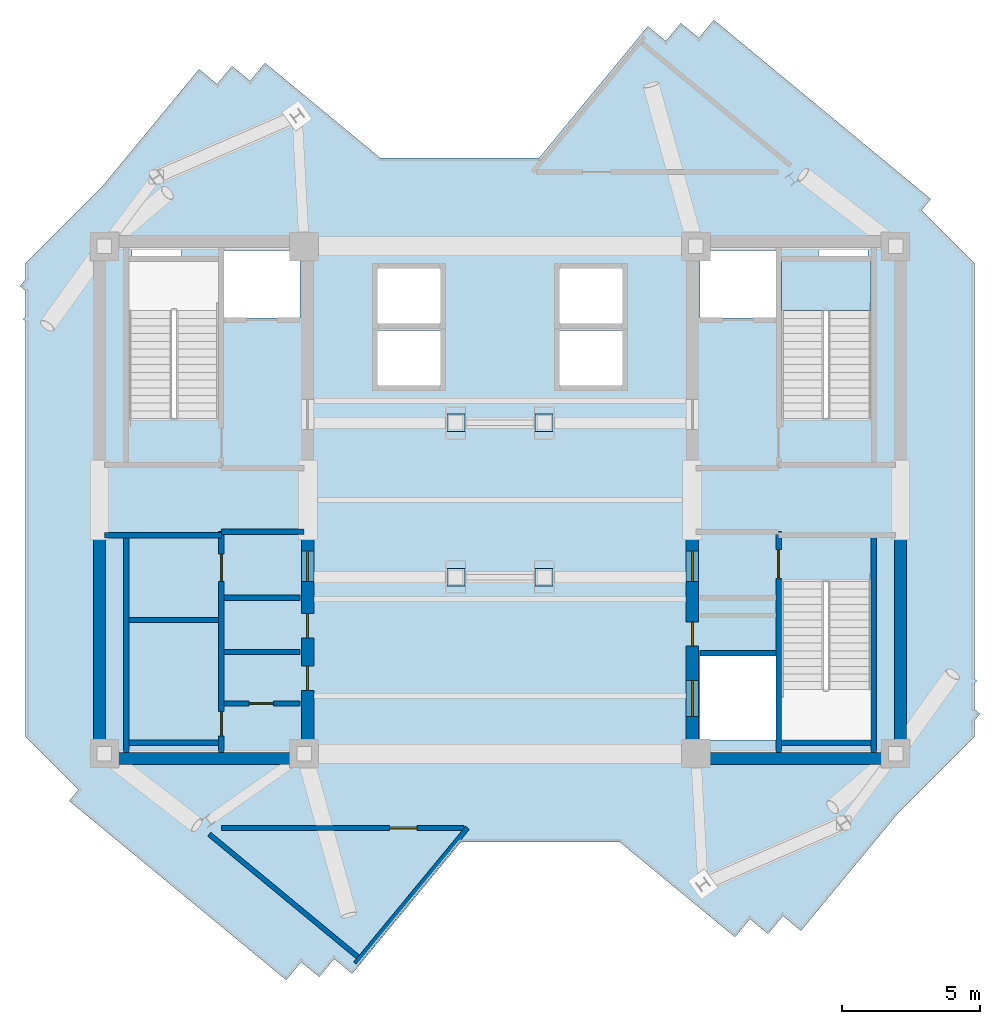
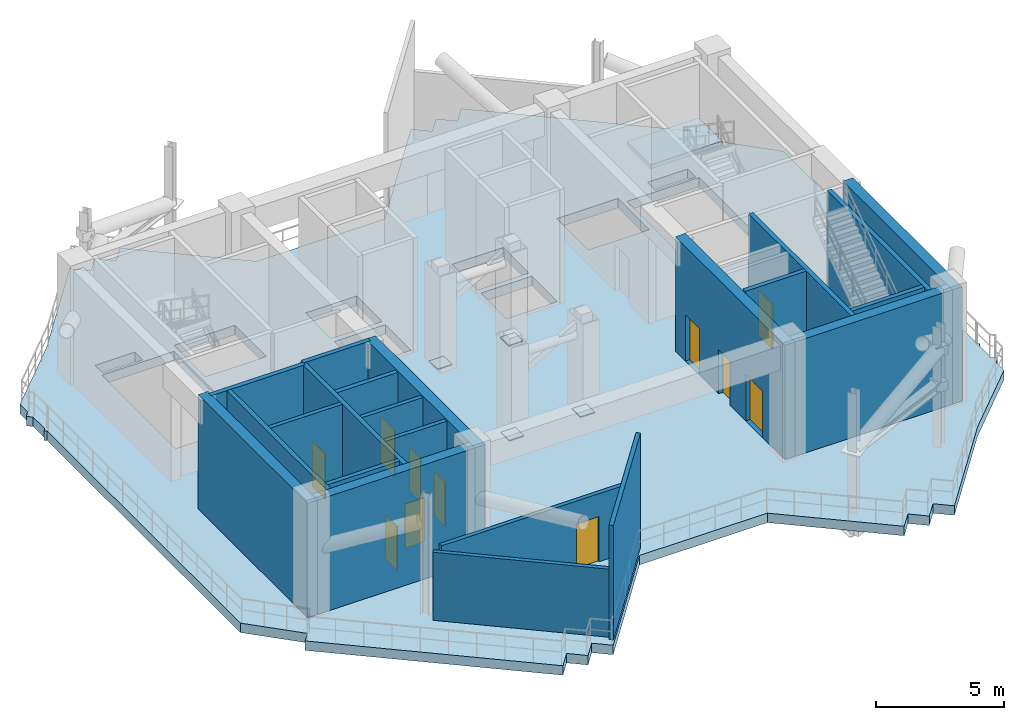
# One storey, part 2 of 7: 22 walls, 11 doors, 4 plates, 2 slabs, 11 openings, 1 element without a shape of its own.
"""IFC4 building model written with IfcOpenShell, lengths in metres."""

from ifc_helpers import new_model, si_unit, direction, frame, frame_2d, origin, origin_2d, place, context, subcontext, project, spatial, polyline, rectangle, outline, extrude, source, transform, mapped, material, layer, layer_set, type_object, element, fill, aggregate, save


model = new_model("IFC4")

# Units and contexts
model_context = context("Model", 3, precision=1e-05, world=origin(), true_north=direction((0.0, 1.0)))
body_context = subcontext(model_context, "Body", "Model", "MODEL_VIEW")
ifc_project = project(units=[si_unit("LENGTHUNIT", "METRE"), si_unit("AREAUNIT", "SQUARE_METRE"), si_unit("VOLUMEUNIT", "CUBIC_METRE"), si_unit("PLANEANGLEUNIT", "RADIAN"), si_unit("MASSUNIT", "GRAM", prefix="KILO")], contexts=[model_context])

# Site, building, storey
site_placement = place(None, origin())
site = spatial("IfcSite", under=ifc_project, at=site_placement, CompositionType="ELEMENT")
building_placement = place(site_placement, origin())
building = spatial("IfcBuilding", under=site, at=building_placement, Name="Zahravan Cultural Tower", CompositionType="ELEMENT")
storey_placement = place(building_placement, frame((0.0, 0.0, 314.10009765625)))
storey = spatial("IfcBuildingStorey", under=building, at=storey_placement, Name="L76", CompositionType="ELEMENT", Elevation=314.10009765625)

# Stair, slab
ifc_material_1 = material(Name="Concrete C45/55", Category="concrete")
stair_type = type_object("IfcStairType", Name="STR-DL-1550-570", PredefinedType="HALF_TURN_STAIR", material=ifc_material_1)
stair_placement = place(storey_placement, origin())
stair = element("IfcStair", 1, at=stair_placement, inside=storey, type_object=stair_type, Name="L76 East Core North Exit Stair ST-E1", PredefinedType="HALF_TURN_STAIR")
ifc_layer_1 = layer(ifc_material_1, 0.199951171875)
ifc_layer_set_1 = layer_set([ifc_layer_1], Name="Concrete C45/55")
slab_type_1 = type_object("IfcSlabType", Name="SL-STAIR-LND200", PredefinedType="LANDING", material=ifc_layer_set_1)
slab_1_placement = place(storey_placement, frame((0.0, 0.0, 2.64990234375)))
slab_1 = element("IfcSlab", 2, at=slab_1_placement, type_object=slab_type_1, Name="ST-E1 landing 1", PredefinedType="LANDING", context=body_context, shape_type="SweptSolid", body=[
    extrude(outline(polyline([(49.449951171875, 33.8701171875), (49.449951171875, 35.699951171875), (46.199951171875, 35.699951171875), (46.199951171875, 33.8701171875), (49.449951171875, 33.8701171875)])), origin(), (0.0, 0.0, 1.0), 0.199951171875),
])
aggregate(stair, [slab_1])

# Slab
ifc_material_2 = material(Name="Concrete C50/60", Category="concrete")
ifc_layer_2 = layer(ifc_material_2, 0.449951171875)
ifc_layer_set_2 = layer_set([ifc_layer_2], Name="Concrete C50/60")
slab_type_2 = type_object("IfcSlabType", Name="SL-TRANS-450", PredefinedType="FLOOR", material=ifc_layer_set_2)
slab_2_placement = place(storey_placement, frame((0.0, 0.0, -0.4501953125)))
element("IfcSlab", 3, at=slab_2_placement, inside=storey, type_object=slab_type_2, Name="L76 Structural Floor Slab", PredefinedType="FLOOR", context=body_context, shape_type="SweptSolid", body=[
    extrude(outline(polyline([(37.4169921875, 39.39990234375), (31.658447265625, 39.39990234375), (27.479248046875, 42.84912109375), (26.938232421875, 42.193603515625), (26.28271484375, 42.734619140625), (25.74169921875, 42.0791015625), (25.0859375, 42.6201171875), (21.618408203125, 38.41845703125), (18.800048828125, 35.60009765625), (18.800048828125, 35.00341796875), (18.593505859375, 34.753173828125), (18.800048828125, 34.582763671875), (18.800048828125, 33.668212890625), (18.7080078125, 33.556640625), (18.800048828125, 33.480712890625), (18.800048828125, 18.39990234375), (20.7119140625, 16.488037109375), (20.3798828125, 16.0859375), (28.246826171875, 9.593505859375), (28.787841796875, 10.2490234375), (29.443359375, 9.7080078125), (29.984375, 10.363525390625), (30.639892578125, 9.822509765625), (34.5830078125, 14.60009765625), (40.341552734375, 14.60009765625), (44.520751953125, 11.15087890625), (45.061767578125, 11.806396484375), (45.71728515625, 11.265380859375), (46.25830078125, 11.9208984375), (46.9140625, 11.3798828125), (50.381591796875, 15.58154296875), (53.199951171875, 18.39990234375), (53.199951171875, 18.99658203125), (53.406494140625, 19.246826171875), (53.199951171875, 19.417236328125), (53.199951171875, 20.331787109375), (53.2919921875, 20.443359375), (53.199951171875, 20.519287109375), (53.199951171875, 35.60009765625), (51.2880859375, 37.511962890625), (51.6201171875, 37.9140625), (43.753173828125, 44.406494140625), (43.212158203125, 43.7509765625), (42.556640625, 44.2919921875), (42.015625, 43.636474609375), (41.360107421875, 44.177490234375), (37.4169921875, 39.39990234375)]), holes=[polyline([(22.550048828125, 29.949951171875), (22.550048828125, 35.699951171875), (25.800048828125, 35.699951171875), (25.800048828125, 29.949951171875), (22.550048828125, 29.949951171875)]), polyline([(46.199951171875, 29.949951171875), (46.199951171875, 35.699951171875), (49.449951171875, 35.699951171875), (49.449951171875, 29.949951171875), (46.199951171875, 29.949951171875)]), polyline([(46.199951171875, 18.300048828125), (46.199951171875, 24.050048828125), (49.449951171875, 24.050048828125), (49.449951171875, 18.300048828125), (46.199951171875, 18.300048828125)]), polyline([(26.0, 33.60009765625), (26.0, 36.050048828125), (28.75, 36.050048828125), (28.75, 33.60009765625), (26.0, 33.60009765625)]), polyline([(43.25, 33.60009765625), (43.25, 36.050048828125), (46.0, 36.050048828125), (46.0, 33.60009765625), (43.25, 33.60009765625)]), polyline([(43.25, 18.300048828125), (43.25, 21.35009765625), (46.0, 21.35009765625), (46.0, 18.300048828125), (43.25, 18.300048828125)]), polyline([(31.550048828125, 33.39990234375), (31.550048828125, 35.39990234375), (33.85009765625, 35.39990234375), (33.85009765625, 33.39990234375), (31.550048828125, 33.39990234375)]), polyline([(31.550048828125, 31.14990234375), (31.550048828125, 33.14990234375), (33.85009765625, 33.14990234375), (33.85009765625, 31.14990234375), (31.550048828125, 31.14990234375)]), polyline([(38.14990234375, 33.39990234375), (38.14990234375, 35.39990234375), (40.449951171875, 35.39990234375), (40.449951171875, 33.39990234375), (38.14990234375, 33.39990234375)]), polyline([(38.14990234375, 31.14990234375), (38.14990234375, 33.14990234375), (40.449951171875, 33.14990234375), (40.449951171875, 31.14990234375), (38.14990234375, 31.14990234375)]), polyline([(22.64990234375, 35.800048828125), (22.64990234375, 36.419921875), (24.449951171875, 36.419921875), (24.449951171875, 35.800048828125), (22.64990234375, 35.800048828125)]), polyline([(47.550048828125, 35.800048828125), (47.550048828125, 36.419921875), (49.35009765625, 36.419921875), (49.35009765625, 35.800048828125), (47.550048828125, 35.800048828125)])]), origin(), (0.0, 0.0, 1.0), 0.4501953125),
])

# Plates
ifc_material_3 = material(Name="Steel ASTM A572 Grade 50", Category="steel")
ifc_layer_3 = layer(ifc_material_3, 0.034912109375)
ifc_layer_set_3 = layer_set([ifc_layer_3], Name="Steel ASTM A572 Grade 50")
plate_type = type_object("IfcPlateType", Name="PL-NODE-35", PredefinedType="SHEET", material=ifc_layer_set_3)
shared_shape_1 = source(origin(), body_context, "Body", "SweptSolid", [
    extrude(rectangle(XDim=0.64990234375, YDim=0.64990234375, at=origin_2d()), origin(), (0.0, 0.0, 1.0), 0.034912109375),
])
for number, where, z_axis, x_axis, name in (
    (4, (34.39990234375, 24.199951171875, 0.00244140625), (0.0, 0.0, 1.0), (1.0, 0.0, 0.0), "L76 Wind Turbine Base Plate 1W"),
    (5, (37.60009765625, 24.199951171875, 0.00244140625), (0.0, 0.0, 1.0), (1.0, 0.0, 0.0), "L76 Wind Turbine Base Plate 1E"),
    (6, (34.39990234375, 29.800048828125, 0.00244140625), (0.0, 0.0, 1.0), (1.0, 0.0, 0.0), "L76 Wind Turbine Base Plate 2W"),
    (7, (37.60009765625, 29.800048828125, 0.00244140625), (0.0, 0.0, 1.0), (1.0, 0.0, 0.0), "L76 Wind Turbine Base Plate 2E"),
):
    element("IfcPlate", number, at=place(storey_placement, frame(where, z_axis=z_axis, x_axis=x_axis)), inside=storey, type_object=plate_type, Name=name, PredefinedType="SHEET", context=body_context, shape_type="MappedRepresentation", body=[
        mapped(shared_shape_1, transform((0.0, 0.0, 0.0), x_axis=(1.0, 0.0, 0.0), y_axis=(0.0, 1.0, 0.0), z_axis=(0.0, 0.0, 1.0), scale=1.0)),
    ])

# Wall, openings, doors
ifc_layer_4 = layer(ifc_material_2, 0.449951171875)
ifc_layer_set_4 = layer_set([ifc_layer_4], Name="Concrete C50/60")
wall_type_1 = type_object("IfcWallType", Name="CW-SHEAR-450-C50", PredefinedType="SHEAR", material=ifc_layer_set_4)
wall_1_placement = place(storey_placement, frame((29.02490234375, 17.39990234375, 0.0), z_axis=(0.0, 0.0, 1.0), x_axis=(0.0, 1.0, 0.0)))
wall_1 = element("IfcWall", 8, at=wall_1_placement, inside=storey, type_object=wall_type_1, Name="L76 Core Shear Wall CW-W-ES-L76", PredefinedType="SHEAR", context=body_context, shape_type="SweptSolid", body=[
    extrude(rectangle(XDim=8.550048828125, YDim=0.449951171875, at=frame_2d((4.27490234375, 0.0))), origin(), (0.0, 0.0, 1.0), 5.449951171875),
])
opening_1_placement = place(wall_1_placement, frame((6.64990234375, 0.0, 0.0)))
opening_1 = element("IfcOpeningElement", 9, at=opening_1_placement, cuts=wall_1, Name="Opening D-L76-08", PredefinedType="OPENING", context=body_context, shape_type="SweptSolid", body=[
    extrude(rectangle(XDim=1.10009765625, YDim=2.199951171875, at=frame_2d((0.550048828125, 1.10009765625))), frame((0.0, 0.23486328125, 0.0), z_axis=(0.0, -1.0, 0.0), x_axis=(1.0, 0.0, 0.0)), (0.0, 0.0, 1.0), 0.469970703125),
])
opening_2_placement = place(wall_1_placement, frame((2.699951171875, 0.0, 0.0)))
opening_2 = element("IfcOpeningElement", 10, at=opening_2_placement, cuts=wall_1, Name="Opening D-L76-11", PredefinedType="OPENING", context=body_context, shape_type="SweptSolid", body=[
    extrude(rectangle(XDim=0.8798828125, YDim=2.10009765625, at=frame_2d((0.43994140625, 1.050048828125))), frame((0.0, 0.23486328125, 0.0), z_axis=(0.0, -1.0, 0.0), x_axis=(1.0, 0.0, 0.0)), (0.0, 0.0, 1.0), 0.469970703125),
])
opening_3_placement = place(wall_1_placement, frame((4.60009765625, 0.0, 0.0)))
opening_3 = element("IfcOpeningElement", 11, at=opening_3_placement, cuts=wall_1, Name="Opening D-L76-12", PredefinedType="OPENING", context=body_context, shape_type="SweptSolid", body=[
    extrude(rectangle(XDim=0.8798828125, YDim=2.10009765625, at=frame_2d((0.43994140625, 1.050048828125))), frame((0.0, 0.23486328125, 0.0), z_axis=(0.0, -1.0, 0.0), x_axis=(1.0, 0.0, 0.0)), (0.0, 0.0, 1.0), 0.469970703125),
])
door_type_1 = type_object("IfcDoorType", Name="DR-LOBBY-1100", OperationType="NOTDEFINED", PredefinedType="DOOR", material=ifc_material_3)
shared_shape_2 = source(origin(), body_context, "Body", "SweptSolid", [
    extrude(rectangle(XDim=1.10009765625, YDim=2.199951171875, at=frame_2d((0.550048828125, 1.10009765625))), frame((0.0, 0.02490234375, 0.0), z_axis=(0.0, -1.0, 0.0), x_axis=(1.0, 0.0, 0.0)), (0.0, 0.0, 1.0), 0.050048828125),
])
door_1_placement = place(opening_1_placement, origin())
door_1 = element("IfcDoor", 12, at=door_1_placement, inside=storey, type_object=door_type_1, Name="L76 Door D-L76-08", OperationType="SINGLE_SWING_LEFT", OverallHeight=2.199951171875, OverallWidth=1.10009765625, PredefinedType="DOOR", context=body_context, shape_type="MappedRepresentation", body=[
    mapped(shared_shape_2, transform((0.0, 0.0, 0.0), x_axis=(1.0, 0.0, 0.0), y_axis=(0.0, 1.0, 0.0), z_axis=(0.0, 0.0, 1.0), scale=1.0)),
])
fill(opening_1, door_1)
door_type_2 = type_object("IfcDoorType", Name="DR-SVC-880", OperationType="NOTDEFINED", PredefinedType="DOOR", material=ifc_material_3)
shared_shape_3 = source(origin(), body_context, "Body", "SweptSolid", [
    extrude(rectangle(XDim=0.8798828125, YDim=2.10009765625, at=frame_2d((0.43994140625, 1.050048828125))), frame((0.0, 0.02490234375, 0.0), z_axis=(0.0, -1.0, 0.0), x_axis=(1.0, 0.0, 0.0)), (0.0, 0.0, 1.0), 0.050048828125),
])
door_2_placement = place(opening_2_placement, origin())
door_2 = element("IfcDoor", 13, at=door_2_placement, inside=storey, type_object=door_type_2, Name="L76 Door D-L76-11", OperationType="SINGLE_SWING_RIGHT", OverallHeight=2.10009765625, OverallWidth=0.8798828125, PredefinedType="DOOR", context=body_context, shape_type="MappedRepresentation", body=[
    mapped(shared_shape_3, transform((0.0, 0.0, 0.0), x_axis=(1.0, 0.0, 0.0), y_axis=(0.0, 1.0, 0.0), z_axis=(0.0, 0.0, 1.0), scale=1.0)),
])
fill(opening_2, door_2)
door_3_placement = place(opening_3_placement, origin())
door_3 = element("IfcDoor", 14, at=door_3_placement, inside=storey, type_object=door_type_2, Name="L76 Door D-L76-12", OperationType="SINGLE_SWING_LEFT", OverallHeight=2.10009765625, OverallWidth=0.8798828125, PredefinedType="DOOR", context=body_context, shape_type="MappedRepresentation", body=[
    mapped(shared_shape_3, transform((0.0, 0.0, 0.0), x_axis=(1.0, 0.0, 0.0), y_axis=(0.0, 1.0, 0.0), z_axis=(0.0, 0.0, 1.0), scale=1.0)),
])
fill(opening_3, door_3)

wall_2_placement = place(storey_placement, frame((42.97509765625, 17.39990234375, 0.0), z_axis=(0.0, 0.0, 1.0), x_axis=(0.0, 1.0, 0.0)))
wall_2 = element("IfcWall", 15, at=wall_2_placement, inside=storey, type_object=wall_type_1, Name="L76 Core Shear Wall CW-E-WS-L76", PredefinedType="SHEAR", context=body_context, shape_type="SweptSolid", body=[
    extrude(rectangle(XDim=8.550048828125, YDim=0.449951171875, at=frame_2d((4.27490234375, 0.0))), origin(), (0.0, 0.0, 1.0), 5.449951171875),
])
opening_4_placement = place(wall_2_placement, frame((6.64990234375, 0.0, 0.0)))
opening_4 = element("IfcOpeningElement", 16, at=opening_4_placement, cuts=wall_2, Name="Opening D-L76-09", PredefinedType="OPENING", context=body_context, shape_type="SweptSolid", body=[
    extrude(rectangle(XDim=1.10009765625, YDim=2.199951171875, at=frame_2d((0.550048828125, 1.10009765625))), frame((0.0, 0.23486328125, 0.0), z_axis=(0.0, -1.0, 0.0), x_axis=(1.0, 0.0, 0.0)), (0.0, 0.0, 1.0), 0.469970703125),
])
opening_5_placement = place(wall_2_placement, frame((1.75, 0.0, 0.0)))
opening_5 = element("IfcOpeningElement", 17, at=opening_5_placement, cuts=wall_2, Name="Opening LD-L76-03", PredefinedType="OPENING", context=body_context, shape_type="SweptSolid", body=[
    extrude(rectangle(XDim=1.300048828125, YDim=2.199951171875, at=frame_2d((0.64990234375, 1.10009765625))), frame((0.0, 0.23486328125, 0.0), z_axis=(0.0, -1.0, 0.0), x_axis=(1.0, 0.0, 0.0)), (0.0, 0.0, 1.0), 0.469970703125),
])
opening_6_placement = place(wall_2_placement, frame((4.300048828125, 0.0, 0.0)))
opening_6 = element("IfcOpeningElement", 18, at=opening_6_placement, cuts=wall_2, Name="Opening D-L76-13", PredefinedType="OPENING", context=body_context, shape_type="SweptSolid", body=[
    extrude(rectangle(XDim=0.8798828125, YDim=2.10009765625, at=frame_2d((0.43994140625, 1.050048828125))), frame((0.0, 0.23486328125, 0.0), z_axis=(0.0, -1.0, 0.0), x_axis=(1.0, 0.0, 0.0)), (0.0, 0.0, 1.0), 0.469970703125),
])
door_4_placement = place(opening_4_placement, origin())
door_4 = element("IfcDoor", 19, at=door_4_placement, inside=storey, type_object=door_type_1, Name="L76 Door D-L76-09", OperationType="SINGLE_SWING_RIGHT", OverallHeight=2.199951171875, OverallWidth=1.10009765625, PredefinedType="DOOR", context=body_context, shape_type="MappedRepresentation", body=[
    mapped(shared_shape_2, transform((0.0, 0.0, 0.0), x_axis=(1.0, 0.0, 0.0), y_axis=(0.0, 1.0, 0.0), z_axis=(0.0, 0.0, 1.0), scale=1.0)),
])
fill(opening_4, door_4)
door_type_3 = type_object("IfcDoorType", Name="DR-LIFT-1300", OperationType="DOUBLE_DOOR_SLIDING", PredefinedType="DOOR", material=ifc_material_3)
shared_shape_4 = source(origin(), body_context, "Body", "SweptSolid", [
    extrude(rectangle(XDim=1.300048828125, YDim=2.199951171875, at=frame_2d((0.64990234375, 1.10009765625))), frame((0.0, 0.02490234375, 0.0), z_axis=(0.0, -1.0, 0.0), x_axis=(1.0, 0.0, 0.0)), (0.0, 0.0, 1.0), 0.050048828125),
])
door_5_placement = place(opening_5_placement, origin())
door_5 = element("IfcDoor", 20, at=door_5_placement, inside=storey, type_object=door_type_3, Name="L76 Door LD-L76-03", OperationType="DOUBLE_DOOR_SLIDING", OverallHeight=2.199951171875, OverallWidth=1.300048828125, PredefinedType="DOOR", context=body_context, shape_type="MappedRepresentation", body=[
    mapped(shared_shape_4, transform((0.0, 0.0, 0.0), x_axis=(1.0, 0.0, 0.0), y_axis=(0.0, 1.0, 0.0), z_axis=(0.0, 0.0, 1.0), scale=1.0)),
])
fill(opening_5, door_5)
door_6_placement = place(opening_6_placement, origin())
door_6 = element("IfcDoor", 21, at=door_6_placement, inside=storey, type_object=door_type_2, Name="L76 Door D-L76-13", OperationType="SINGLE_SWING_RIGHT", OverallHeight=2.10009765625, OverallWidth=0.8798828125, PredefinedType="DOOR", context=body_context, shape_type="MappedRepresentation", body=[
    mapped(shared_shape_3, transform((0.0, 0.0, 0.0), x_axis=(1.0, 0.0, 0.0), y_axis=(0.0, 1.0, 0.0), z_axis=(0.0, 0.0, 1.0), scale=1.0)),
])
fill(opening_6, door_6)

# Wall, opening, door
ifc_material_4 = material(Name="Gypsum plasterboard partition")
ifc_layer_5 = layer(ifc_material_4, 0.179931640625)
ifc_layer_set_5 = layer_set([ifc_layer_5], Name="Gypsum plasterboard partition")
wall_type_2 = type_object("IfcWallType", Name="W-COMP-180", PredefinedType="PARTITIONING", material=ifc_layer_set_5)
wall_3_placement = place(storey_placement, frame((26.0, 19.6201171875, 0.0), z_axis=(0.0, 0.0, 1.0), x_axis=(1.0, 0.0, 0.0)))
wall_3 = element("IfcWall", 22, at=wall_3_placement, inside=storey, type_object=wall_type_2, Name="L76 Interior Wall 027", PredefinedType="PARTITIONING", context=body_context, shape_type="SweptSolid", body=[
    extrude(rectangle(XDim=2.75, YDim=0.179931640625, at=frame_2d((1.375, 0.0))), origin(), (0.0, 0.0, 1.0), 5.449951171875),
])
opening_7_placement = place(wall_3_placement, frame((0.89990234375, 0.0, 0.0)))
opening_7 = element("IfcOpeningElement", 23, at=opening_7_placement, cuts=wall_3, Name="Opening D-L76-10", PredefinedType="OPENING", context=body_context, shape_type="SweptSolid", body=[
    extrude(rectangle(XDim=0.8798828125, YDim=2.10009765625, at=frame_2d((0.43994140625, 1.050048828125))), frame((0.0, 0.099853515625, 0.0), z_axis=(0.0, -1.0, 0.0), x_axis=(1.0, 0.0, 0.0)), (0.0, 0.0, 1.0), 0.199951171875),
])
door_7_placement = place(opening_7_placement, origin())
door_7 = element("IfcDoor", 24, at=door_7_placement, inside=storey, type_object=door_type_2, Name="L76 Door D-L76-10", OperationType="SINGLE_SWING_LEFT", OverallHeight=2.10009765625, OverallWidth=0.8798828125, PredefinedType="DOOR", context=body_context, shape_type="MappedRepresentation", body=[
    mapped(shared_shape_3, transform((0.0, 0.0, 0.0), x_axis=(1.0, 0.0, 0.0), y_axis=(0.0, 1.0, 0.0), z_axis=(0.0, 0.0, 1.0), scale=1.0)),
])
fill(opening_7, door_7)

wall_4_placement = place(storey_placement, frame((25.902099609375, 15.110107421875, 0.0), z_axis=(0.0, 0.0, 1.0), x_axis=(1.0, 0.0, 0.0)))
wall_4 = element("IfcWall", 25, at=wall_4_placement, inside=storey, type_object=wall_type_2, Name="L76 Interior Wall 049", PredefinedType="PARTITIONING", context=body_context, shape_type="SweptSolid", body=[
    extrude(rectangle(XDim=8.797119140625, YDim=0.179931640625, at=frame_2d((4.3984375, 0.0))), origin(), (0.0, 0.0, 1.0), 3.241943359375),
])
opening_8_placement = place(wall_4_placement, frame((6.095703125, 0.0, 0.0)))
opening_8 = element("IfcOpeningElement", 26, at=opening_8_placement, cuts=wall_4, Name="Opening D-L76-15", PredefinedType="OPENING", context=body_context, shape_type="SweptSolid", body=[
    extrude(rectangle(XDim=1.0, YDim=2.14990234375, at=frame_2d((0.5, 1.074951171875))), frame((0.0, 0.099853515625, 0.0), z_axis=(0.0, -1.0, 0.0), x_axis=(1.0, 0.0, 0.0)), (0.0, 0.0, 1.0), 0.199951171875),
])
door_type_4 = type_object("IfcDoorType", Name="DR-COMP-1000", OperationType="NOTDEFINED", PredefinedType="DOOR", material=ifc_material_3)
shared_shape_5 = source(origin(), body_context, "Body", "SweptSolid", [
    extrude(rectangle(XDim=1.0, YDim=2.14990234375, at=frame_2d((0.5, 1.074951171875))), frame((0.0, 0.02490234375, 0.0), z_axis=(0.0, -1.0, 0.0), x_axis=(1.0, 0.0, 0.0)), (0.0, 0.0, 1.0), 0.050048828125),
])
door_8_placement = place(opening_8_placement, origin())
door_8 = element("IfcDoor", 27, at=door_8_placement, inside=storey, type_object=door_type_4, Name="L76 Door D-L76-15", OperationType="SINGLE_SWING_RIGHT", OverallHeight=2.14990234375, OverallWidth=1.0, PredefinedType="DOOR", context=body_context, shape_type="MappedRepresentation", body=[
    mapped(shared_shape_5, transform((0.0, 0.0, 0.0), x_axis=(1.0, 0.0, 0.0), y_axis=(0.0, 1.0, 0.0), z_axis=(0.0, 0.0, 1.0), scale=1.0)),
])
fill(opening_8, door_8)

# Wall, openings, doors
ifc_layer_6 = layer(ifc_material_1, 0.199951171875)
ifc_layer_set_6 = layer_set([ifc_layer_6], Name="Concrete C45/55")
wall_type_3 = type_object("IfcWallType", Name="W-SHAFT-200", PredefinedType="SOLIDWALL", material=ifc_layer_set_6)
wall_5_placement = place(storey_placement, frame((25.89990234375, 17.85009765625, 0.0), z_axis=(0.0, 0.0, 1.0), x_axis=(0.0, 1.0, 0.0)))
wall_5 = element("IfcWall", 28, at=wall_5_placement, inside=storey, type_object=wall_type_3, Name="L76 Interior Wall 005", PredefinedType="SOLIDWALL", context=body_context, shape_type="SweptSolid", body=[
    extrude(rectangle(XDim=8.0, YDim=0.199951171875, at=frame_2d((4.0, 0.0))), origin(), (0.0, 0.0, 1.0), 5.449951171875),
])
opening_9_placement = place(wall_5_placement, frame((6.199951171875, 0.0, 0.0)))
opening_9 = element("IfcOpeningElement", 29, at=opening_9_placement, cuts=wall_5, Name="Opening D-L76-04", PredefinedType="OPENING", context=body_context, shape_type="SweptSolid", body=[
    extrude(rectangle(XDim=1.0, YDim=2.14990234375, at=frame_2d((0.5, 1.074951171875))), frame((0.0, 0.10986328125, 0.0), z_axis=(0.0, -1.0, 0.0), x_axis=(1.0, 0.0, 0.0)), (0.0, 0.0, 1.0), 0.219970703125),
])
opening_10_placement = place(wall_5_placement, frame((0.60009765625, 0.0, 0.0)))
opening_10 = element("IfcOpeningElement", 30, at=opening_10_placement, cuts=wall_5, Name="Opening D-L76-05", PredefinedType="OPENING", context=body_context, shape_type="SweptSolid", body=[
    extrude(rectangle(XDim=0.8798828125, YDim=2.10009765625, at=frame_2d((0.43994140625, 1.050048828125))), frame((0.0, 0.10986328125, 0.0), z_axis=(0.0, -1.0, 0.0), x_axis=(1.0, 0.0, 0.0)), (0.0, 0.0, 1.0), 0.219970703125),
])
door_9_placement = place(opening_10_placement, origin())
door_9 = element("IfcDoor", 31, at=door_9_placement, inside=storey, type_object=door_type_2, Name="L76 Door D-L76-05", OperationType="SINGLE_SWING_RIGHT", OverallHeight=2.10009765625, OverallWidth=0.8798828125, PredefinedType="DOOR", context=body_context, shape_type="MappedRepresentation", body=[
    mapped(shared_shape_3, transform((0.0, 0.0, 0.0), x_axis=(1.0, 0.0, 0.0), y_axis=(0.0, 1.0, 0.0), z_axis=(0.0, 0.0, 1.0), scale=1.0)),
])
fill(opening_10, door_9)
door_10_placement = place(opening_9_placement, origin())
door_10 = element("IfcDoor", 32, at=door_10_placement, inside=storey, type_object=door_type_4, Name="L76 Door D-L76-04", OperationType="SINGLE_SWING_LEFT", OverallHeight=2.14990234375, OverallWidth=1.0, PredefinedType="DOOR", context=body_context, shape_type="MappedRepresentation", body=[
    mapped(shared_shape_5, transform((0.0, 0.0, 0.0), x_axis=(1.0, 0.0, 0.0), y_axis=(0.0, 1.0, 0.0), z_axis=(0.0, 0.0, 1.0), scale=1.0)),
])
fill(opening_9, door_10)

# Wall, opening, door
wall_6_placement = place(storey_placement, frame((46.10009765625, 17.85009765625, 0.0), z_axis=(0.0, 0.0, 1.0), x_axis=(0.0, 1.0, 0.0)))
wall_6 = element("IfcWall", 33, at=wall_6_placement, inside=storey, type_object=wall_type_3, Name="L76 Interior Wall 007", PredefinedType="SOLIDWALL", context=body_context, shape_type="SweptSolid", body=[
    extrude(rectangle(XDim=8.0, YDim=0.199951171875, at=frame_2d((4.0, 0.0))), origin(), (0.0, 0.0, 1.0), 5.449951171875),
])
opening_11_placement = place(wall_6_placement, frame((6.300048828125, 0.0, 0.0)))
opening_11 = element("IfcOpeningElement", 34, at=opening_11_placement, cuts=wall_6, Name="Opening D-L76-03", PredefinedType="OPENING", context=body_context, shape_type="SweptSolid", body=[
    extrude(rectangle(XDim=1.050048828125, YDim=2.14990234375, at=frame_2d((0.52490234375, 1.074951171875))), frame((0.0, 0.10986328125, 0.0), z_axis=(0.0, -1.0, 0.0), x_axis=(1.0, 0.0, 0.0)), (0.0, 0.0, 1.0), 0.219970703125),
])
door_type_5 = type_object("IfcDoorType", Name="DR-STAIR-1050", OperationType="NOTDEFINED", PredefinedType="DOOR", material=ifc_material_3)
shared_shape_6 = source(origin(), body_context, "Body", "SweptSolid", [
    extrude(rectangle(XDim=1.050048828125, YDim=2.14990234375, at=frame_2d((0.52490234375, 1.074951171875))), frame((0.0, 0.02490234375, 0.0), z_axis=(0.0, -1.0, 0.0), x_axis=(1.0, 0.0, 0.0)), (0.0, 0.0, 1.0), 0.050048828125),
])
door_11_placement = place(opening_11_placement, origin())
door_11 = element("IfcDoor", 35, at=door_11_placement, inside=storey, type_object=door_type_5, Name="L76 Door D-L76-03", OperationType="SINGLE_SWING_RIGHT", OverallHeight=2.14990234375, OverallWidth=1.050048828125, PredefinedType="DOOR", context=body_context, shape_type="MappedRepresentation", body=[
    mapped(shared_shape_6, transform((0.0, 0.0, 0.0), x_axis=(1.0, 0.0, 0.0), y_axis=(0.0, 1.0, 0.0), z_axis=(0.0, 0.0, 1.0), scale=1.0)),
])
fill(opening_11, door_11)

# Walls
shared_shape_7 = source(origin(), body_context, "Body", "SweptSolid", [
    extrude(rectangle(XDim=8.550048828125, YDim=0.449951171875, at=frame_2d((4.27490234375, 0.0))), origin(), (0.0, 0.0, 1.0), 5.449951171875),
])
for number, where, z_axis, x_axis, name in (
    (36, (21.47509765625, 17.39990234375, 0.0), (0.0, 0.0, 1.0), (0.0, 1.0, 0.0), "L76 Core Shear Wall CW-W-WS-L76"),
    (37, (50.52490234375, 17.39990234375, 0.0), (0.0, 0.0, 1.0), (0.0, 1.0, 0.0), "L76 Core Shear Wall CW-E-ES-L76"),
):
    element("IfcWall", number, at=place(storey_placement, frame(where, z_axis=z_axis, x_axis=x_axis)), inside=storey, type_object=wall_type_1, Name=name, PredefinedType="SHEAR", context=body_context, shape_type="MappedRepresentation", body=[
        mapped(shared_shape_7, transform((0.0, 0.0, 0.0), x_axis=(1.0, 0.0, 0.0), y_axis=(0.0, 1.0, 0.0), z_axis=(0.0, 0.0, 1.0), scale=1.0)),
    ])
shared_shape_8 = source(origin(), body_context, "Body", "SweptSolid", [
    extrude(rectangle(XDim=7.10009765625, YDim=0.449951171875, at=frame_2d((3.550048828125, 0.0))), origin(), (0.0, 0.0, 1.0), 5.449951171875),
])
for number, where, z_axis, x_axis, name in (
    (38, (21.699951171875, 17.625, 0.0), (0.0, 0.0, 1.0), (1.0, 0.0, 0.0), "L76 Core Shear Wall CW-W-S-L76"),
    (39, (43.199951171875, 17.625, 0.0), (0.0, 0.0, 1.0), (1.0, 0.0, 0.0), "L76 Core Shear Wall CW-E-S-L76"),
):
    element("IfcWall", number, at=place(storey_placement, frame(where, z_axis=z_axis, x_axis=x_axis)), inside=storey, type_object=wall_type_1, Name=name, PredefinedType="SHEAR", context=body_context, shape_type="MappedRepresentation", body=[
        mapped(shared_shape_8, transform((0.0, 0.0, 0.0), x_axis=(1.0, 0.0, 0.0), y_axis=(0.0, 1.0, 0.0), z_axis=(0.0, 0.0, 1.0), scale=1.0)),
    ])
shared_shape_9 = source(origin(), body_context, "Body", "SweptSolid", [
    extrude(rectangle(XDim=7.869873046875, YDim=0.199951171875, at=frame_2d((3.93505859375, 0.0))), origin(), (0.0, 0.0, 1.0), 5.449951171875),
])
for number, where, z_axis, x_axis, name in (
    (40, (22.449951171875, 17.85009765625, 0.0), (0.0, 0.0, 1.0), (0.0, 1.0, 0.0), "L76 Interior Wall 001"),
    (41, (49.550048828125, 17.85009765625, 0.0), (0.0, 0.0, 1.0), (0.0, 1.0, 0.0), "L76 Interior Wall 003"),
):
    element("IfcWall", number, at=place(storey_placement, frame(where, z_axis=z_axis, x_axis=x_axis)), inside=storey, type_object=wall_type_3, Name=name, PredefinedType="SOLIDWALL", context=body_context, shape_type="MappedRepresentation", body=[
        mapped(shared_shape_9, transform((0.0, 0.0, 0.0), x_axis=(1.0, 0.0, 0.0), y_axis=(0.0, 1.0, 0.0), z_axis=(0.0, 0.0, 1.0), scale=1.0)),
    ])
shared_shape_10 = source(origin(), body_context, "Body", "SweptSolid", [
    extrude(rectangle(XDim=4.25, YDim=0.199951171875, at=frame_2d((2.125, 0.0))), origin(), (0.0, 0.0, 1.0), 5.449951171875),
])
wall_7_placement = place(storey_placement, frame((21.64990234375, 25.715087890625, 0.0), z_axis=(0.0, 0.0, 1.0), x_axis=(1.0, 0.0, 0.0)))
element("IfcWall", 42, at=wall_7_placement, inside=storey, type_object=wall_type_3, Name="L76 Interior Wall 009", PredefinedType="SOLIDWALL", context=body_context, shape_type="MappedRepresentation", body=[
    mapped(shared_shape_10, transform((0.0, 0.0, 0.0), x_axis=(1.0, 0.0, 0.0), y_axis=(0.0, 1.0, 0.0), z_axis=(0.0, 0.0, 1.0), scale=1.0)),
])
shared_shape_11 = source(origin(), body_context, "Body", "SweptSolid", [
    extrude(rectangle(XDim=3.0, YDim=0.199951171875, at=frame_2d((1.5, 0.0))), origin(), (0.0, 0.0, 1.0), 5.449951171875),
])
wall_8_placement = place(storey_placement, frame((25.89990234375, 25.85009765625, 0.0), z_axis=(0.0, 0.0, 1.0), x_axis=(1.0, 0.0, 0.0)))
element("IfcWall", 43, at=wall_8_placement, inside=storey, type_object=wall_type_3, Name="L76 Interior Wall 010", PredefinedType="SOLIDWALL", context=body_context, shape_type="MappedRepresentation", body=[
    mapped(shared_shape_11, transform((0.0, 0.0, 0.0), x_axis=(1.0, 0.0, 0.0), y_axis=(0.0, 1.0, 0.0), z_axis=(0.0, 0.0, 1.0), scale=1.0)),
])
shared_shape_12 = source(origin(), body_context, "Body", "SweptSolid", [
    extrude(rectangle(XDim=3.25, YDim=0.199951171875, at=frame_2d((1.625, 0.0))), origin(), (0.0, 0.0, 1.0), 5.449951171875),
])
for number, where, z_axis, x_axis, name in (
    (44, (22.550048828125, 18.199951171875, 0.0), (0.0, 0.0, 1.0), (1.0, 0.0, 0.0), "L76 Interior Wall 019"),
    (45, (46.199951171875, 18.199951171875, 0.0), (0.0, 0.0, 1.0), (1.0, 0.0, 0.0), "L76 Interior Wall 020"),
):
    element("IfcWall", number, at=place(storey_placement, frame(where, z_axis=z_axis, x_axis=x_axis)), inside=storey, type_object=wall_type_3, Name=name, PredefinedType="SOLIDWALL", context=body_context, shape_type="MappedRepresentation", body=[
        mapped(shared_shape_12, transform((0.0, 0.0, 0.0), x_axis=(1.0, 0.0, 0.0), y_axis=(0.0, 1.0, 0.0), z_axis=(0.0, 0.0, 1.0), scale=1.0)),
    ])
shared_shape_13 = source(origin(), body_context, "Body", "SweptSolid", [
    extrude(rectangle(XDim=3.25, YDim=0.179931640625, at=frame_2d((1.625, 0.0))), origin(), (0.0, 0.0, 1.0), 5.449951171875),
])
wall_9_placement = place(storey_placement, frame((22.550048828125, 22.64990234375, 0.0), z_axis=(0.0, 0.0, 1.0), x_axis=(1.0, 0.0, 0.0)))
element("IfcWall", 46, at=wall_9_placement, inside=storey, type_object=wall_type_2, Name="L76 Interior Wall 021", PredefinedType="PARTITIONING", context=body_context, shape_type="MappedRepresentation", body=[
    mapped(shared_shape_13, transform((0.0, 0.0, 0.0), x_axis=(1.0, 0.0, 0.0), y_axis=(0.0, 1.0, 0.0), z_axis=(0.0, 0.0, 1.0), scale=1.0)),
])
shared_shape_14 = source(origin(), body_context, "Body", "SweptSolid", [
    extrude(rectangle(XDim=2.75, YDim=0.199951171875, at=frame_2d((1.375, 0.0))), origin(), (0.0, 0.0, 1.0), 5.449951171875),
])
for number, where, z_axis, x_axis, name in (
    (47, (26.0, 23.449951171875, 0.0), (0.0, 0.0, 1.0), (1.0, 0.0, 0.0), "L76 Interior Wall 024"),
    (48, (43.25, 21.449951171875, 0.0), (0.0, 0.0, 1.0), (1.0, 0.0, 0.0), "L76 Interior Wall 026"),
):
    element("IfcWall", number, at=place(storey_placement, frame(where, z_axis=z_axis, x_axis=x_axis)), inside=storey, type_object=wall_type_3, Name=name, PredefinedType="SOLIDWALL", context=body_context, shape_type="MappedRepresentation", body=[
        mapped(shared_shape_14, transform((0.0, 0.0, 0.0), x_axis=(1.0, 0.0, 0.0), y_axis=(0.0, 1.0, 0.0), z_axis=(0.0, 0.0, 1.0), scale=1.0)),
    ])
shared_shape_15 = source(origin(), body_context, "Body", "SweptSolid", [
    extrude(rectangle(XDim=2.75, YDim=0.179931640625, at=frame_2d((1.375, 0.0))), origin(), (0.0, 0.0, 1.0), 5.449951171875),
])
wall_10_placement = place(storey_placement, frame((26.0, 21.47998046875, 0.0), z_axis=(0.0, 0.0, 1.0), x_axis=(1.0, 0.0, 0.0)))
element("IfcWall", 49, at=wall_10_placement, inside=storey, type_object=wall_type_2, Name="L76 Interior Wall 028", PredefinedType="PARTITIONING", context=body_context, shape_type="MappedRepresentation", body=[
    mapped(shared_shape_15, transform((0.0, 0.0, 0.0), x_axis=(1.0, 0.0, 0.0), y_axis=(0.0, 1.0, 0.0), z_axis=(0.0, 0.0, 1.0), scale=1.0)),
])
shared_shape_16 = source(origin(), body_context, "Body", "SweptSolid", [
    extrude(rectangle(XDim=6.380126953125, YDim=0.179931640625, at=frame_2d((3.18994140625, 0.0))), origin(), (0.0, 0.0, 1.0), 5.449951171875),
])
wall_11_placement = place(storey_placement, frame((34.822265625, 15.110107421875, 0.0), z_axis=(0.0, 0.0, 1.0), x_axis=(-0.636503619764, -0.771273714078, 0.0)))
element("IfcWall", 50, at=wall_11_placement, inside=storey, type_object=wall_type_2, Name="L76 Interior Wall 047", PredefinedType="PARTITIONING", context=body_context, shape_type="MappedRepresentation", body=[
    mapped(shared_shape_16, transform((0.0, 0.0, 0.0), x_axis=(1.0, 0.0, 0.0), y_axis=(0.0, 1.0, 0.0), z_axis=(0.0, 0.0, 1.0), scale=1.0)),
])
shared_shape_17 = source(origin(), body_context, "Body", "SweptSolid", [
    extrude(rectangle(XDim=6.982421875, YDim=0.179931640625, at=frame_2d((3.4912109375, 0.0))), origin(), (0.0, 0.0, 1.0), 3.241943359375),
])
wall_12_placement = place(storey_placement, frame((30.8408203125, 10.434814453125, 0.0), z_axis=(0.0, 0.0, 1.0), x_axis=(-0.7712505433, 0.636531695565, 0.0)))
element("IfcWall", 51, at=wall_12_placement, inside=storey, type_object=wall_type_2, Name="L76 Interior Wall 048", PredefinedType="PARTITIONING", context=body_context, shape_type="MappedRepresentation", body=[
    mapped(shared_shape_17, transform((0.0, 0.0, 0.0), x_axis=(1.0, 0.0, 0.0), y_axis=(0.0, 1.0, 0.0), z_axis=(0.0, 0.0, 1.0), scale=1.0)),
])

save(model, "model.ifc")
